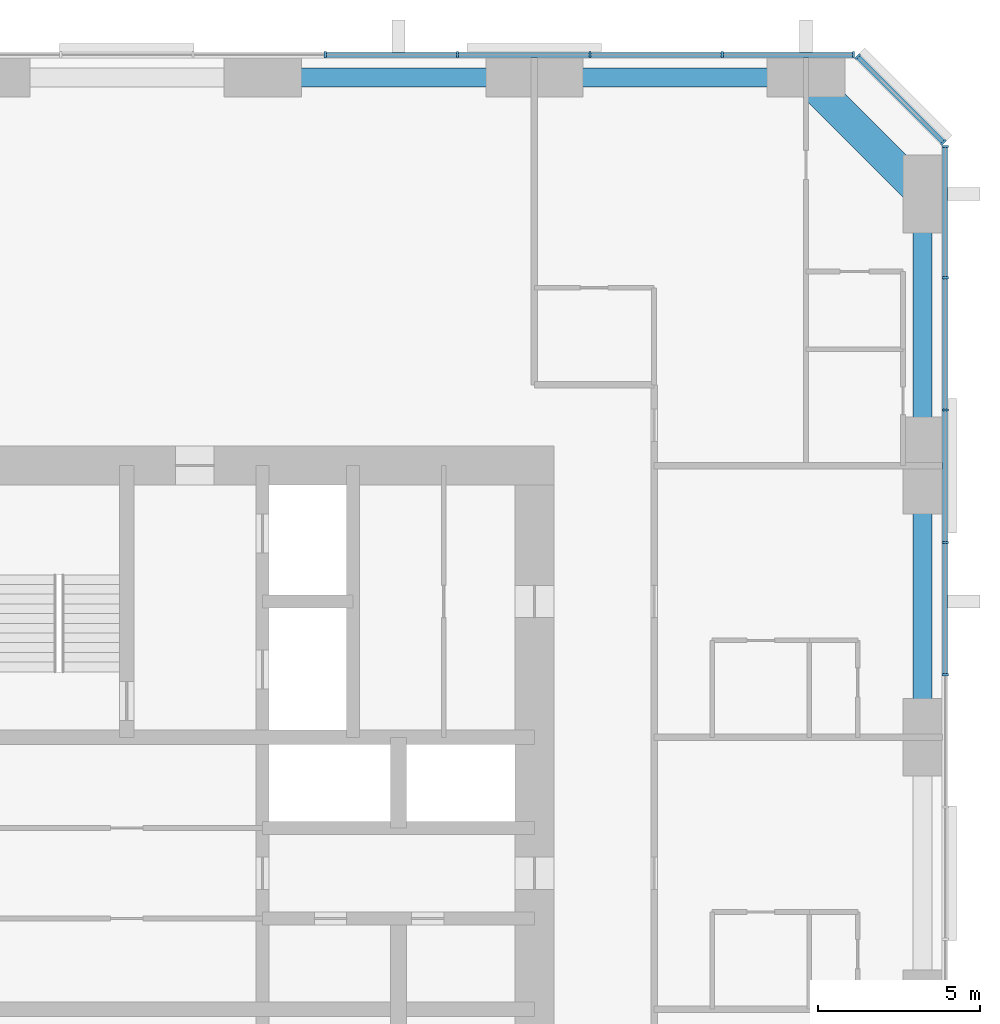
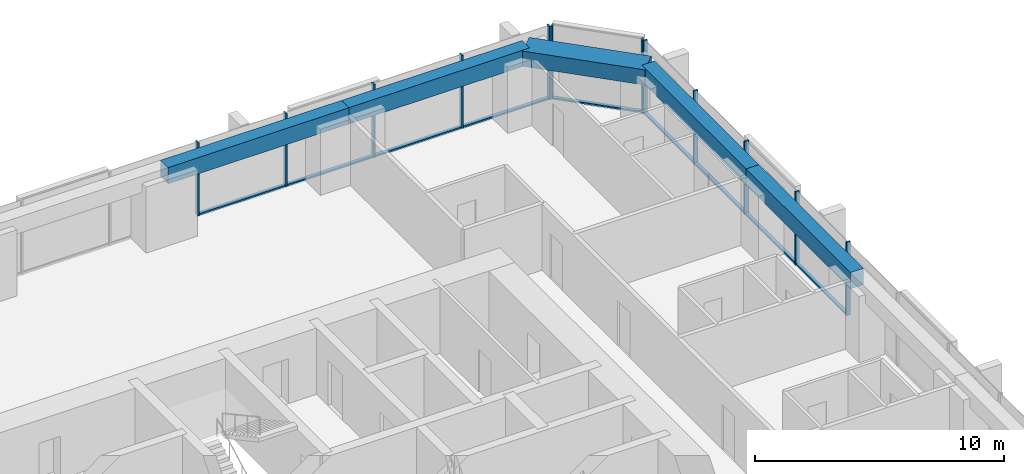
# One storey, part 6 of 13: 21 members, 5 beams, 3 elements without a shape of their own.
"""IFC4 building model written with IfcOpenShell, lengths in metres."""

from ifc_helpers import new_model, si_unit, direction, frame, origin, origin_2d, place, context, subcontext, project, spatial, rectangle, extrude, material, material_profile, profile_set, type_object, element, aggregate, save


model = new_model("IFC4")

# Units and contexts
model_context = context("Model", 3, precision=1e-05, world=origin(), true_north=direction((0.0, 1.0)))
body_context = subcontext(model_context, "Body", "Model", "MODEL_VIEW")
ifc_project = project(units=[si_unit("LENGTHUNIT", "METRE"), si_unit("AREAUNIT", "SQUARE_METRE"), si_unit("VOLUMEUNIT", "CUBIC_METRE"), si_unit("PLANEANGLEUNIT", "RADIAN"), si_unit("MASSUNIT", "GRAM", prefix="KILO")], contexts=[model_context])

# Site, building, storey
site_placement = place(None, origin())
site = spatial("IfcSite", under=ifc_project, at=site_placement, CompositionType="ELEMENT")
building_placement = place(site_placement, origin())
building = spatial("IfcBuilding", under=site, at=building_placement, Name="Dunama Terrace Hotel", CompositionType="ELEMENT")
storey_placement = place(building_placement, frame((0.0, 0.0, 162.60009765625)))
storey = spatial("IfcBuildingStorey", under=building, at=storey_placement, Name="L41", CompositionType="ELEMENT", Elevation=162.60009765625)

# Curtain wall, members
ifc_material_1 = material(Name="Aluminium curtain wall system", Category="aluminium")
curtain_wall_type = type_object("IfcCurtainWallType", Name="Unitised fritted glass wall CW-C", PredefinedType="NOTDEFINED", material=ifc_material_1)
curtain_wall_1_placement = place(storey_placement, origin())
curtain_wall_1 = element("IfcCurtainWall", 1, at=curtain_wall_1_placement, inside=storey, type_object=curtain_wall_type, Name="Unitised fritted glass wall CW-C L41", PredefinedType="NOTDEFINED")
ifc_material_2 = material(Name="Aluminium mullion", Category="aluminium")
ifc_material_profile_1 = material_profile(ifc_material_2, rectangle(XDim=0.070068359375, YDim=0.199951171875, at=origin_2d()), Name="CWC MULLION 70X200")
ifc_profile_set_1 = profile_set([ifc_material_profile_1], Name="Aluminium mullion")
member_type_1 = type_object("IfcMemberType", Name="CWC mullion 70x200", PredefinedType="MULLION", material=ifc_profile_set_1)
member_1_placement = place(storey_placement, frame((54.699951171875, 35.535888671875, 0.0), z_axis=(0.0, 0.0, 1.0), x_axis=(0.0, 1.0, 0.0)))
member_1 = element("IfcMember", 2, at=member_1_placement, type_object=member_type_1, Name="CWC mullion", PredefinedType="MULLION", context=body_context, shape_type="SweptSolid", body=[
    extrude(rectangle(XDim=0.070068359375, YDim=0.199951171875, at=origin_2d()), origin(), (0.0, 0.0, 1.0), 3.599853515625),
])
member_2_placement = place(storey_placement, frame((54.699951171875, 39.626953125, 0.0), z_axis=(0.0, 0.0, 1.0), x_axis=(0.0, 1.0, 0.0)))
member_2 = element("IfcMember", 3, at=member_2_placement, type_object=member_type_1, Name="CWC mullion", PredefinedType="MULLION", context=body_context, shape_type="SweptSolid", body=[
    extrude(rectangle(XDim=0.070068359375, YDim=0.199951171875, at=origin_2d()), origin(), (0.0, 0.0, 1.0), 3.599853515625),
])
member_3_placement = place(storey_placement, frame((54.699951171875, 43.718017578125, 0.0), z_axis=(0.0, 0.0, 1.0), x_axis=(0.0, 1.0, 0.0)))
member_3 = element("IfcMember", 4, at=member_3_placement, type_object=member_type_1, Name="CWC mullion", PredefinedType="MULLION", context=body_context, shape_type="SweptSolid", body=[
    extrude(rectangle(XDim=0.070068359375, YDim=0.199951171875, at=origin_2d()), origin(), (0.0, 0.0, 1.0), 3.599853515625),
])
member_4_placement = place(storey_placement, frame((54.699951171875, 47.80908203125, 0.0), z_axis=(0.0, 0.0, 1.0), x_axis=(0.0, 1.0, 0.0)))
member_4 = element("IfcMember", 5, at=member_4_placement, type_object=member_type_1, Name="CWC mullion", PredefinedType="MULLION", context=body_context, shape_type="SweptSolid", body=[
    extrude(rectangle(XDim=0.070068359375, YDim=0.199951171875, at=origin_2d()), origin(), (0.0, 0.0, 1.0), 3.599853515625),
])
member_5_placement = place(storey_placement, frame((54.699951171875, 51.864990234375, 0.0), z_axis=(0.0, 0.0, 1.0), x_axis=(0.0, 1.0, 0.0)))
member_5 = element("IfcMember", 6, at=member_5_placement, type_object=member_type_1, Name="CWC mullion", PredefinedType="MULLION", context=body_context, shape_type="SweptSolid", body=[
    extrude(rectangle(XDim=0.070068359375, YDim=0.199951171875, at=origin_2d()), origin(), (0.0, 0.0, 1.0), 3.599853515625),
])

curtain_wall_2_placement = place(storey_placement, origin())
curtain_wall_2 = element("IfcCurtainWall", 7, at=curtain_wall_2_placement, inside=storey, type_object=curtain_wall_type, Name="Unitised fritted glass wall CW-C L41", PredefinedType="NOTDEFINED")
member_6_placement = place(storey_placement, frame((54.64599609375, 51.9951171875, 0.0), z_axis=(0.0, 0.0, 1.0), x_axis=(-0.707106781187, 0.707106781187, 0.0)))
member_6 = element("IfcMember", 8, at=member_6_placement, type_object=member_type_1, Name="CWC mullion", PredefinedType="MULLION", context=body_context, shape_type="SweptSolid", body=[
    extrude(rectangle(XDim=0.070068359375, YDim=0.199951171875, at=origin_2d()), origin(), (0.0, 0.0, 1.0), 3.599853515625),
])
member_7_placement = place(storey_placement, frame((51.9951171875, 54.64599609375, 0.0), z_axis=(0.0, 0.0, 1.0), x_axis=(-0.707106781187, 0.707106781187, 0.0)))
member_7 = element("IfcMember", 9, at=member_7_placement, type_object=member_type_1, Name="CWC mullion", PredefinedType="MULLION", context=body_context, shape_type="SweptSolid", body=[
    extrude(rectangle(XDim=0.070068359375, YDim=0.199951171875, at=origin_2d()), origin(), (0.0, 0.0, 1.0), 3.599853515625),
])

curtain_wall_3_placement = place(storey_placement, origin())
curtain_wall_3 = element("IfcCurtainWall", 10, at=curtain_wall_3_placement, inside=storey, type_object=curtain_wall_type, Name="Unitised fritted glass wall CW-C L41", PredefinedType="NOTDEFINED")
member_8_placement = place(storey_placement, frame((51.864990234375, 54.699951171875, 0.0), z_axis=(0.0, 0.0, 1.0), x_axis=(-1.0, 0.0, 0.0)))
member_8 = element("IfcMember", 11, at=member_8_placement, type_object=member_type_1, Name="CWC mullion", PredefinedType="MULLION", context=body_context, shape_type="SweptSolid", body=[
    extrude(rectangle(XDim=0.070068359375, YDim=0.199951171875, at=origin_2d()), origin(), (0.0, 0.0, 1.0), 3.599853515625),
])
member_9_placement = place(storey_placement, frame((47.80908203125, 54.699951171875, 0.0), z_axis=(0.0, 0.0, 1.0), x_axis=(-1.0, 0.0, 0.0)))
member_9 = element("IfcMember", 12, at=member_9_placement, type_object=member_type_1, Name="CWC mullion", PredefinedType="MULLION", context=body_context, shape_type="SweptSolid", body=[
    extrude(rectangle(XDim=0.070068359375, YDim=0.199951171875, at=origin_2d()), origin(), (0.0, 0.0, 1.0), 3.599853515625),
])
member_10_placement = place(storey_placement, frame((43.718017578125, 54.699951171875, 0.0), z_axis=(0.0, 0.0, 1.0), x_axis=(-1.0, 0.0, 0.0)))
member_10 = element("IfcMember", 13, at=member_10_placement, type_object=member_type_1, Name="CWC mullion", PredefinedType="MULLION", context=body_context, shape_type="SweptSolid", body=[
    extrude(rectangle(XDim=0.070068359375, YDim=0.199951171875, at=origin_2d()), origin(), (0.0, 0.0, 1.0), 3.599853515625),
])
member_11_placement = place(storey_placement, frame((39.626953125, 54.699951171875, 0.0), z_axis=(0.0, 0.0, 1.0), x_axis=(-1.0, 0.0, 0.0)))
member_11 = element("IfcMember", 14, at=member_11_placement, type_object=member_type_1, Name="CWC mullion", PredefinedType="MULLION", context=body_context, shape_type="SweptSolid", body=[
    extrude(rectangle(XDim=0.070068359375, YDim=0.199951171875, at=origin_2d()), origin(), (0.0, 0.0, 1.0), 3.599853515625),
])
member_12_placement = place(storey_placement, frame((35.535888671875, 54.699951171875, 0.0), z_axis=(0.0, 0.0, 1.0), x_axis=(-1.0, 0.0, 0.0)))
member_12 = element("IfcMember", 15, at=member_12_placement, type_object=member_type_1, Name="CWC mullion", PredefinedType="MULLION", context=body_context, shape_type="SweptSolid", body=[
    extrude(rectangle(XDim=0.070068359375, YDim=0.199951171875, at=origin_2d()), origin(), (0.0, 0.0, 1.0), 3.599853515625),
])

# Member
ifc_material_3 = material(Name="Aluminium transom", Category="aluminium")
ifc_material_profile_2 = material_profile(ifc_material_3, rectangle(XDim=0.159912109375, YDim=0.080078125, at=origin_2d()), Name="CWC TRANSOM 160X80")
ifc_profile_set_2 = profile_set([ifc_material_profile_2], Name="Aluminium transom")
member_type_2 = type_object("IfcMemberType", Name="CWC transom 160x80", PredefinedType="USERDEFINED", material=ifc_profile_set_2)
member_13_placement = place(storey_placement, frame((54.699951171875, 35.571044921875, 0.039794921875), z_axis=(0.0, 1.0, 0.0), x_axis=(-1.0, 0.0, 0.0)))
member_13 = element("IfcMember", 16, at=member_13_placement, type_object=member_type_2, Name="CWC transom", ObjectType="TRANSOM", PredefinedType="USERDEFINED", context=body_context, shape_type="SweptSolid", body=[
    extrude(rectangle(XDim=0.159912109375, YDim=0.080078125, at=origin_2d()), origin(), (0.0, 0.0, 1.0), 4.02099609375),
])

member_14_placement = place(storey_placement, frame((54.699951171875, 39.662109375, 0.039794921875), z_axis=(0.0, 1.0, 0.0), x_axis=(-1.0, 0.0, 0.0)))
member_14 = element("IfcMember", 17, at=member_14_placement, type_object=member_type_2, Name="CWC transom", ObjectType="TRANSOM", PredefinedType="USERDEFINED", context=body_context, shape_type="SweptSolid", body=[
    extrude(rectangle(XDim=0.159912109375, YDim=0.080078125, at=origin_2d()), origin(), (0.0, 0.0, 1.0), 4.02099609375),
])

member_15_placement = place(storey_placement, frame((54.699951171875, 43.7529296875, 0.039794921875), z_axis=(0.0, 1.0, 0.0), x_axis=(-1.0, 0.0, 0.0)))
member_15 = element("IfcMember", 18, at=member_15_placement, type_object=member_type_2, Name="CWC transom", ObjectType="TRANSOM", PredefinedType="USERDEFINED", context=body_context, shape_type="SweptSolid", body=[
    extrude(rectangle(XDim=0.159912109375, YDim=0.080078125, at=origin_2d()), origin(), (0.0, 0.0, 1.0), 4.02099609375),
])

member_16_placement = place(storey_placement, frame((54.699951171875, 47.843994140625, 0.039794921875), z_axis=(0.0, 1.0, 0.0), x_axis=(-1.0, 0.0, 0.0)))
member_16 = element("IfcMember", 19, at=member_16_placement, type_object=member_type_2, Name="CWC transom", ObjectType="TRANSOM", PredefinedType="USERDEFINED", context=body_context, shape_type="SweptSolid", body=[
    extrude(rectangle(XDim=0.159912109375, YDim=0.080078125, at=origin_2d()), origin(), (0.0, 0.0, 1.0), 3.986083984375),
])

aggregate(curtain_wall_1, [member_1, member_2, member_3, member_4, member_5, member_13, member_14, member_15, member_16])

member_17_placement = place(storey_placement, frame((54.62109375, 52.02001953125, 0.039794921875), z_axis=(-0.707106781187, 0.707106781187, 0.0), x_axis=(-0.707106781187, -0.707106781187, 0.0)))
member_17 = element("IfcMember", 20, at=member_17_placement, type_object=member_type_2, Name="CWC transom", ObjectType="TRANSOM", PredefinedType="USERDEFINED", context=body_context, shape_type="SweptSolid", body=[
    extrude(rectangle(XDim=0.159912109375, YDim=0.080078125, at=origin_2d()), origin(), (0.0, 0.0, 1.0), 3.678466796875),
])

aggregate(curtain_wall_2, [member_6, member_7, member_17])

member_18_placement = place(storey_placement, frame((51.830078125, 54.699951171875, 0.039794921875), z_axis=(-1.0, 0.0, 0.0), x_axis=(0.0, -1.0, 0.0)))
member_18 = element("IfcMember", 21, at=member_18_placement, type_object=member_type_2, Name="CWC transom", ObjectType="TRANSOM", PredefinedType="USERDEFINED", context=body_context, shape_type="SweptSolid", body=[
    extrude(rectangle(XDim=0.159912109375, YDim=0.080078125, at=origin_2d()), origin(), (0.0, 0.0, 1.0), 3.986083984375),
])

member_19_placement = place(storey_placement, frame((47.77392578125, 54.699951171875, 0.039794921875), z_axis=(-1.0, 0.0, 0.0), x_axis=(0.0, -1.0, 0.0)))
member_19 = element("IfcMember", 22, at=member_19_placement, type_object=member_type_2, Name="CWC transom", ObjectType="TRANSOM", PredefinedType="USERDEFINED", context=body_context, shape_type="SweptSolid", body=[
    extrude(rectangle(XDim=0.159912109375, YDim=0.080078125, at=origin_2d()), origin(), (0.0, 0.0, 1.0), 4.02099609375),
])

member_20_placement = place(storey_placement, frame((43.68310546875, 54.699951171875, 0.039794921875), z_axis=(-1.0, 0.0, 0.0), x_axis=(0.0, -1.0, 0.0)))
member_20 = element("IfcMember", 23, at=member_20_placement, type_object=member_type_2, Name="CWC transom", ObjectType="TRANSOM", PredefinedType="USERDEFINED", context=body_context, shape_type="SweptSolid", body=[
    extrude(rectangle(XDim=0.159912109375, YDim=0.080078125, at=origin_2d()), origin(), (0.0, 0.0, 1.0), 4.02099609375),
])

member_21_placement = place(storey_placement, frame((39.592041015625, 54.699951171875, 0.039794921875), z_axis=(-1.0, 0.0, 0.0), x_axis=(0.0, -1.0, 0.0)))
member_21 = element("IfcMember", 24, at=member_21_placement, type_object=member_type_2, Name="CWC transom", ObjectType="TRANSOM", PredefinedType="USERDEFINED", context=body_context, shape_type="SweptSolid", body=[
    extrude(rectangle(XDim=0.159912109375, YDim=0.080078125, at=origin_2d()), origin(), (0.0, 0.0, 1.0), 4.02099609375),
])

aggregate(curtain_wall_3, [member_8, member_9, member_10, member_11, member_12, member_18, member_19, member_20, member_21])

# Beams
ifc_material_4 = material(Name="Concrete C50/60", Category="concrete")
ifc_material_profile_3 = material_profile(ifc_material_4, rectangle(XDim=1.0, YDim=0.75, at=origin_2d()), Name="RC 1000x750")
ifc_profile_set_3 = profile_set([ifc_material_profile_3], Name="Concrete C50/60")
beam_type_1 = type_object("IfcBeamType", Name="Edge beam RC 1000x750", PredefinedType="SPANDREL", material=ifc_profile_set_3)
beam_placement = place(storey_placement, frame((50.39990234375, 54.0, 3.224853515625), z_axis=(0.707106781187, -0.707106781187, 0.0), x_axis=(0.707106781187, 0.707106781187, 0.0)))
element("IfcBeam", 25, at=beam_placement, inside=storey, type_object=beam_type_1, Name="Corner edge beam under L42", PredefinedType="SPANDREL", context=body_context, shape_type="SweptSolid", body=[
    extrude(rectangle(XDim=1.0, YDim=0.75, at=origin_2d()), origin(), (0.0, 0.0, 1.0), 5.09130859375),
])
ifc_material_5 = material(Name="Concrete C40/50", Category="concrete")
ifc_material_profile_4 = material_profile(ifc_material_5, rectangle(XDim=0.60009765625, YDim=0.800048828125, at=origin_2d()), Name="RC 600x800")
ifc_profile_set_4 = profile_set([ifc_material_profile_4], Name="Concrete C40/50")
beam_type_2 = type_object("IfcBeamType", Name="Edge beam RC 600x800", PredefinedType="SPANDREL", material=ifc_profile_set_4)
for number, where, z_axis, x_axis, name in (
    (26, (54.0, 33.60009765625, 3.199951171875), (0.0, 1.0, 0.0), (-1.0, 0.0, 0.0), "Edge beam under L42"),
    (27, (54.0, 42.0, 3.199951171875), (0.0, 1.0, 0.0), (-1.0, 0.0, 0.0), "Edge beam under L42"),
    (28, (33.60009765625, 54.0, 3.199951171875), (1.0, 0.0, 0.0), (0.0, 1.0, 0.0), "Edge beam under L42"),
    (29, (42.0, 54.0, 3.199951171875), (1.0, 0.0, 0.0), (0.0, 1.0, 0.0), "Edge beam under L42"),
):
    element("IfcBeam", number, at=place(storey_placement, frame(where, z_axis=z_axis, x_axis=x_axis)), inside=storey, type_object=beam_type_2, Name=name, PredefinedType="SPANDREL", context=body_context, shape_type="SweptSolid", body=[
        extrude(rectangle(XDim=0.60009765625, YDim=0.800048828125, at=origin_2d()), origin(), (0.0, 0.0, 1.0), 8.39990234375),
    ])

save(model, "model.ifc")
